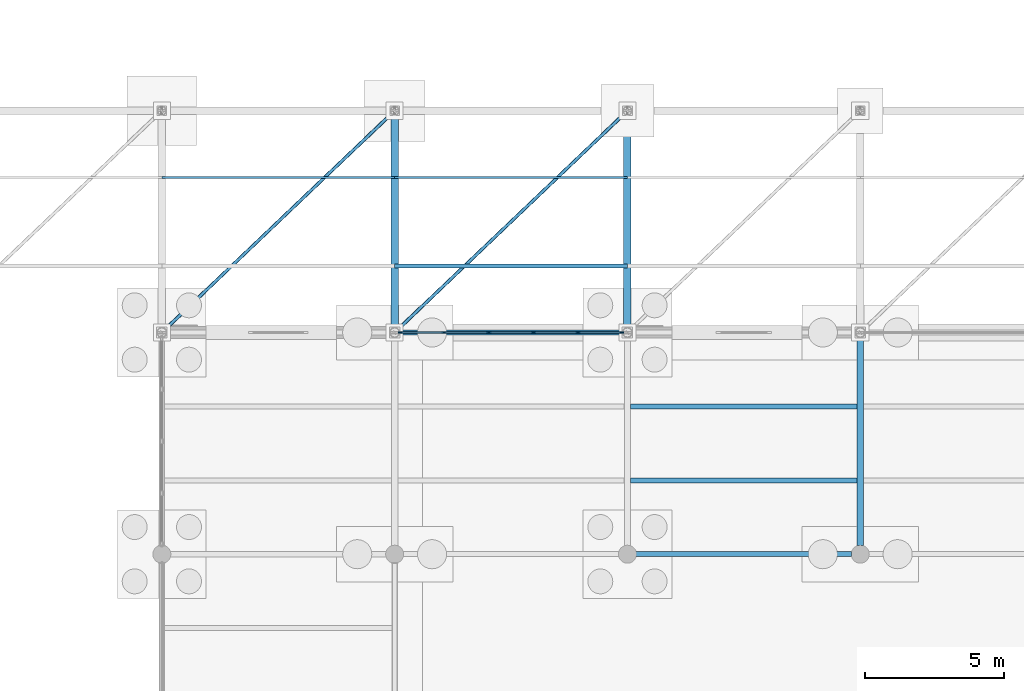
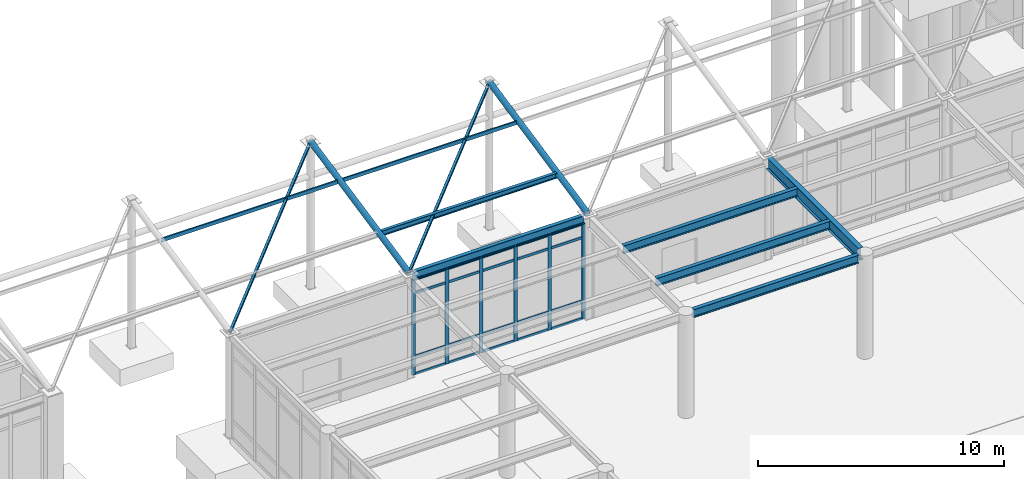
# One storey, part 44 of 138: 33 members, 5 beams, 1 element without a shape of its own.
"""IFC4 building model written with IfcOpenShell, lengths in metres."""

from ifc_helpers import new_model, si_unit, direction, frame, origin, origin_2d, place, context, subcontext, project, spatial, rectangle, hollow_rectangle, hollow_circle, i_section, u_section, extrude, material, layer, layer_set, material_profile, profile_set, type_object, element, aggregate, save


model = new_model("IFC4")

# Units and contexts
model_context = context("Model", 3, precision=1e-05, world=origin(), true_north=direction((0.0, 1.0)))
body_context = subcontext(model_context, "Body", "Model", "MODEL_VIEW")
ifc_project = project(units=[si_unit("LENGTHUNIT", "METRE"), si_unit("AREAUNIT", "SQUARE_METRE"), si_unit("VOLUMEUNIT", "CUBIC_METRE"), si_unit("PLANEANGLEUNIT", "RADIAN"), si_unit("MASSUNIT", "GRAM", prefix="KILO")], contexts=[model_context])

# Site, building, storey
site_placement = place(None, origin())
site = spatial("IfcSite", under=ifc_project, at=site_placement, CompositionType="ELEMENT")
building_placement = place(site_placement, origin())
building = spatial("IfcBuilding", under=site, at=building_placement, Name="Kranzveld Transit Interchange", CompositionType="ELEMENT")
storey_placement = place(building_placement, origin())
storey = spatial("IfcBuildingStorey", under=building, at=storey_placement, Name="L00", CompositionType="ELEMENT", Elevation=0.0)

# Members
ifc_material_1 = material(Name="Steel S355JR", Category="steel")
ifc_material_profile_1 = material_profile(ifc_material_1, hollow_rectangle(XDim=0.1201171875, YDim=0.1201171875, WallThickness=0.00634765625, InnerFilletRadius=0.009521484375, OuterFilletRadius=0.015869140625, at=origin_2d()), Name="SHS 120x120x6.3")
ifc_profile_set_1 = profile_set([ifc_material_profile_1], Name="Steel S355JR")
member_type_1 = type_object("IfcMemberType", Name="Canopy Brace SHS 120x120x6.3 S355JR", PredefinedType="BRACE", material=ifc_profile_set_1)
member_1_placement = place(storey_placement, frame((58.800048828125, 88.0, 5.10009765625), z_axis=(0.716657489312, 0.682538877224, 0.143327331976), x_axis=(-0.689659376744, 0.724133926887, 0.0)))
element("IfcMember", 1, at=member_1_placement, inside=storey, type_object=member_type_1, Name="Forecourt Canopy Plan Brace 08", PredefinedType="BRACE", context=body_context, shape_type="SweptSolid", body=[
    extrude(hollow_rectangle(XDim=0.1201171875, YDim=0.1201171875, WallThickness=0.00634765625, InnerFilletRadius=0.009521484375, OuterFilletRadius=0.015869140625, at=origin_2d()), origin(), (0.0, 0.0, 1.0), 11.720947265625),
])
member_2_placement = place(storey_placement, frame((67.199951171875, 88.0, 5.10009765625), z_axis=(0.716667620564, 0.682528688657, 0.143325192464), x_axis=(-0.689648865971, 0.724143937118, 0.0)))
element("IfcMember", 2, at=member_2_placement, inside=storey, type_object=member_type_1, Name="Forecourt Canopy Plan Brace 09", PredefinedType="BRACE", context=body_context, shape_type="SweptSolid", body=[
    extrude(hollow_rectangle(XDim=0.1201171875, YDim=0.1201171875, WallThickness=0.00634765625, InnerFilletRadius=0.009521484375, OuterFilletRadius=0.015869140625, at=origin_2d()), origin(), (0.0, 0.0, 1.0), 11.72119140625),
])
ifc_material_2 = material(Name="Steel S355JR", Category="steel")
ifc_material_profile_2 = material_profile(ifc_material_2, i_section(OverallWidth=0.146484375, OverallDepth=0.256103515625, WebThickness=0.00634765625, FlangeThickness=0.010986328125, FilletRadius=0.007568359375, at=origin_2d()), Name="UB 254x146x37")
ifc_profile_set_2 = profile_set([ifc_material_profile_2], Name="Steel S355JR")
member_type_2 = type_object("IfcMemberType", Name="Canopy Purlin UB 254x146x37 S355JR", PredefinedType="PURLIN", material=ifc_profile_set_2)
member_3_placement = place(storey_placement, frame((67.199951171875, 90.39990234375, 5.6240234375), z_axis=(1.0, 0.0, 0.0), x_axis=(0.0, 1.0, 0.0)))
element("IfcMember", 3, at=member_3_placement, inside=storey, type_object=member_type_2, Name="Forecourt Canopy Purlin 09.1", PredefinedType="PURLIN", context=body_context, shape_type="SweptSolid", body=[
    extrude(i_section(OverallWidth=0.146484375, OverallDepth=0.256103515625, WebThickness=0.00634765625, FlangeThickness=0.010986328125, FilletRadius=0.007568359375, at=origin_2d()), origin(), (0.0, 0.0, 1.0), 8.400146484375),
])
ifc_material_3 = material(Name="Steel S355JR", Category="steel")
ifc_material_profile_3 = material_profile(ifc_material_3, hollow_circle(Radius=0.136474609375, WallThickness=0.010009765625, at=origin_2d()), Name="CHS 273x10")
ifc_profile_set_3 = profile_set([ifc_material_profile_3], Name="Steel S355JR")
member_type_3 = type_object("IfcMemberType", Name="Canopy Raking Strut CHS 273x10 S355JR", PredefinedType="STRUT", material=ifc_profile_set_3)
for number, where, z_axis, x_axis, name in (
    (4, (67.199951171875, 88.0, 5.139892578125), (0.0, 0.978649171378, 0.205537829511), (-1.0, 0.0, 0.0), "Forecourt Canopy Strut 09"),
    (5, (75.60009765625, 88.0, 5.139892578125), (0.0, 0.978649171378, 0.205537829511), (-1.0, 0.0, 0.0), "Forecourt Canopy Strut 10"),
):
    element("IfcMember", number, at=place(storey_placement, frame(where, z_axis=z_axis, x_axis=x_axis)), inside=storey, type_object=member_type_3, Name=name, PredefinedType="STRUT", context=body_context, shape_type="SweptSolid", body=[
        extrude(hollow_circle(Radius=0.136474609375, WallThickness=0.010009765625, at=origin_2d()), origin(), (0.0, 0.0, 1.0), 8.174560546875),
    ])

# Curtain wall, members
ifc_material_4 = material(Name="Bronze-anodised thermally broken aluminium", Category="aluminium")
ifc_layer = layer(ifc_material_4, 0.155029296875)
ifc_layer_set = layer_set([ifc_layer], Name="Bronze-anodised thermally broken aluminium")
curtain_wall_type = type_object("IfcCurtainWallType", Name="Operations Courtyard Glazed Screen CW-6", PredefinedType="USERDEFINED", material=ifc_layer_set)
curtain_wall_placement = place(storey_placement, origin())
curtain_wall = element("IfcCurtainWall", 6, at=curtain_wall_placement, inside=storey, type_object=curtain_wall_type, Name="L00 Curtain Wall 09/M-10/M", ObjectType="CURTAIN WALL", PredefinedType="USERDEFINED")
ifc_material_5 = material(Name="Bronze-anodised thermally broken aluminium", Category="aluminium")
ifc_material_profile_4 = material_profile(ifc_material_5, rectangle(XDim=0.06494140625, YDim=0.1650390625, at=origin_2d()), Name="ALU MULLION 65x165")
ifc_profile_set_4 = profile_set([ifc_material_profile_4], Name="Bronze-anodised thermally broken aluminium")
member_type_4 = type_object("IfcMemberType", Name="Curtain Wall Mullion 65x165 Alu", PredefinedType="MULLION", material=ifc_profile_set_4)
member_4_placement = place(storey_placement, frame((67.410400390625, 88.0, 0.0), z_axis=(0.0, 0.0, 1.0), x_axis=(0.0, 1.0, 0.0)))
member_4 = element("IfcMember", 7, at=member_4_placement, type_object=member_type_4, Name="CW-6 mullion 1", PredefinedType="MULLION", context=body_context, shape_type="SweptSolid", body=[
    extrude(rectangle(XDim=0.06494140625, YDim=0.1650390625, at=origin_2d()), origin(), (0.0, 0.0, 1.0), 4.740478515625),
])
member_5_placement = place(storey_placement, frame((68.986572265625, 88.0, 0.0), z_axis=(0.0, 0.0, 1.0), x_axis=(0.0, 1.0, 0.0)))
member_5 = element("IfcMember", 8, at=member_5_placement, type_object=member_type_4, Name="CW-6 mullion 2", PredefinedType="MULLION", context=body_context, shape_type="SweptSolid", body=[
    extrude(rectangle(XDim=0.06494140625, YDim=0.1650390625, at=origin_2d()), origin(), (0.0, 0.0, 1.0), 4.740478515625),
])
member_6_placement = place(storey_placement, frame((70.595458984375, 88.0, 0.0), z_axis=(0.0, 0.0, 1.0), x_axis=(0.0, 1.0, 0.0)))
member_6 = element("IfcMember", 9, at=member_6_placement, type_object=member_type_4, Name="CW-6 mullion 3", PredefinedType="MULLION", context=body_context, shape_type="SweptSolid", body=[
    extrude(rectangle(XDim=0.06494140625, YDim=0.1650390625, at=origin_2d()), origin(), (0.0, 0.0, 1.0), 4.740478515625),
])
member_7_placement = place(storey_placement, frame((72.204345703125, 88.0, 0.0), z_axis=(0.0, 0.0, 1.0), x_axis=(0.0, 1.0, 0.0)))
member_7 = element("IfcMember", 10, at=member_7_placement, type_object=member_type_4, Name="CW-6 mullion 4", PredefinedType="MULLION", context=body_context, shape_type="SweptSolid", body=[
    extrude(rectangle(XDim=0.06494140625, YDim=0.1650390625, at=origin_2d()), origin(), (0.0, 0.0, 1.0), 4.740478515625),
])
member_8_placement = place(storey_placement, frame((73.813232421875, 88.0, 0.0), z_axis=(0.0, 0.0, 1.0), x_axis=(0.0, 1.0, 0.0)))
member_8 = element("IfcMember", 11, at=member_8_placement, type_object=member_type_4, Name="CW-6 mullion 5", PredefinedType="MULLION", context=body_context, shape_type="SweptSolid", body=[
    extrude(rectangle(XDim=0.06494140625, YDim=0.1650390625, at=origin_2d()), origin(), (0.0, 0.0, 1.0), 4.740478515625),
])
member_9_placement = place(storey_placement, frame((75.3896484375, 88.0, 0.0), z_axis=(0.0, 0.0, 1.0), x_axis=(0.0, 1.0, 0.0)))
member_9 = element("IfcMember", 12, at=member_9_placement, type_object=member_type_4, Name="CW-6 mullion 6", PredefinedType="MULLION", context=body_context, shape_type="SweptSolid", body=[
    extrude(rectangle(XDim=0.06494140625, YDim=0.1650390625, at=origin_2d()), origin(), (0.0, 0.0, 1.0), 4.740478515625),
])
ifc_material_6 = material(Name="Bronze-anodised thermally broken aluminium", Category="aluminium")
ifc_material_profile_5 = material_profile(ifc_material_6, rectangle(XDim=0.06005859375, YDim=0.125, at=origin_2d()), Name="ALU TRANSOM 60x125")
ifc_profile_set_5 = profile_set([ifc_material_profile_5], Name="Bronze-anodised thermally broken aluminium")
member_type_5 = type_object("IfcMemberType", Name="Curtain Wall Transom 60x125 Alu", PredefinedType="USERDEFINED", material=ifc_profile_set_5)
member_10_placement = place(storey_placement, frame((67.44287109375, 88.0, 0.030029296875), z_axis=(1.0, 0.0, 0.0), x_axis=(0.0, 1.0, 0.0)))
member_10 = element("IfcMember", 13, at=member_10_placement, type_object=member_type_5, Name="CW-6 transom 1.1", ObjectType="TRANSOM", PredefinedType="USERDEFINED", context=body_context, shape_type="SweptSolid", body=[
    extrude(rectangle(XDim=0.06005859375, YDim=0.125, at=origin_2d()), origin(), (0.0, 0.0, 1.0), 1.51123046875),
])
member_11_placement = place(storey_placement, frame((67.44287109375, 88.0, 0.89990234375), z_axis=(1.0, 0.0, 0.0), x_axis=(0.0, 1.0, 0.0)))
member_11 = element("IfcMember", 14, at=member_11_placement, type_object=member_type_5, Name="CW-6 transom 1.2", ObjectType="TRANSOM", PredefinedType="USERDEFINED", context=body_context, shape_type="SweptSolid", body=[
    extrude(rectangle(XDim=0.06005859375, YDim=0.125, at=origin_2d()), origin(), (0.0, 0.0, 1.0), 1.51123046875),
])
member_12_placement = place(storey_placement, frame((67.44287109375, 88.0, 4.04052734375), z_axis=(1.0, 0.0, 0.0), x_axis=(0.0, 1.0, 0.0)))
member_12 = element("IfcMember", 15, at=member_12_placement, type_object=member_type_5, Name="CW-6 transom 1.3", ObjectType="TRANSOM", PredefinedType="USERDEFINED", context=body_context, shape_type="SweptSolid", body=[
    extrude(rectangle(XDim=0.06005859375, YDim=0.125, at=origin_2d()), origin(), (0.0, 0.0, 1.0), 1.51123046875),
])
member_13_placement = place(storey_placement, frame((67.44287109375, 88.0, 4.710693359375), z_axis=(1.0, 0.0, 0.0), x_axis=(0.0, 1.0, 0.0)))
member_13 = element("IfcMember", 16, at=member_13_placement, type_object=member_type_5, Name="CW-6 transom 1.4", ObjectType="TRANSOM", PredefinedType="USERDEFINED", context=body_context, shape_type="SweptSolid", body=[
    extrude(rectangle(XDim=0.06005859375, YDim=0.125, at=origin_2d()), origin(), (0.0, 0.0, 1.0), 1.51123046875),
])
member_14_placement = place(storey_placement, frame((69.019287109375, 88.0, 0.030029296875), z_axis=(1.0, 0.0, 0.0), x_axis=(0.0, 1.0, 0.0)))
member_14 = element("IfcMember", 17, at=member_14_placement, type_object=member_type_5, Name="CW-6 transom 2.1", ObjectType="TRANSOM", PredefinedType="USERDEFINED", context=body_context, shape_type="SweptSolid", body=[
    extrude(rectangle(XDim=0.06005859375, YDim=0.125, at=origin_2d()), origin(), (0.0, 0.0, 1.0), 1.543701171875),
])
member_15_placement = place(storey_placement, frame((69.019287109375, 88.0, 0.89990234375), z_axis=(1.0, 0.0, 0.0), x_axis=(0.0, 1.0, 0.0)))
member_15 = element("IfcMember", 18, at=member_15_placement, type_object=member_type_5, Name="CW-6 transom 2.2", ObjectType="TRANSOM", PredefinedType="USERDEFINED", context=body_context, shape_type="SweptSolid", body=[
    extrude(rectangle(XDim=0.06005859375, YDim=0.125, at=origin_2d()), origin(), (0.0, 0.0, 1.0), 1.543701171875),
])
member_16_placement = place(storey_placement, frame((69.019287109375, 88.0, 4.04052734375), z_axis=(1.0, 0.0, 0.0), x_axis=(0.0, 1.0, 0.0)))
member_16 = element("IfcMember", 19, at=member_16_placement, type_object=member_type_5, Name="CW-6 transom 2.3", ObjectType="TRANSOM", PredefinedType="USERDEFINED", context=body_context, shape_type="SweptSolid", body=[
    extrude(rectangle(XDim=0.06005859375, YDim=0.125, at=origin_2d()), origin(), (0.0, 0.0, 1.0), 1.543701171875),
])
member_17_placement = place(storey_placement, frame((69.019287109375, 88.0, 4.710693359375), z_axis=(1.0, 0.0, 0.0), x_axis=(0.0, 1.0, 0.0)))
member_17 = element("IfcMember", 20, at=member_17_placement, type_object=member_type_5, Name="CW-6 transom 2.4", ObjectType="TRANSOM", PredefinedType="USERDEFINED", context=body_context, shape_type="SweptSolid", body=[
    extrude(rectangle(XDim=0.06005859375, YDim=0.125, at=origin_2d()), origin(), (0.0, 0.0, 1.0), 1.543701171875),
])
member_18_placement = place(storey_placement, frame((70.628173828125, 88.0, 0.030029296875), z_axis=(1.0, 0.0, 0.0), x_axis=(0.0, 1.0, 0.0)))
member_18 = element("IfcMember", 21, at=member_18_placement, type_object=member_type_5, Name="CW-6 transom 3.1", ObjectType="TRANSOM", PredefinedType="USERDEFINED", context=body_context, shape_type="SweptSolid", body=[
    extrude(rectangle(XDim=0.06005859375, YDim=0.125, at=origin_2d()), origin(), (0.0, 0.0, 1.0), 1.543701171875),
])
member_19_placement = place(storey_placement, frame((70.628173828125, 88.0, 0.89990234375), z_axis=(1.0, 0.0, 0.0), x_axis=(0.0, 1.0, 0.0)))
member_19 = element("IfcMember", 22, at=member_19_placement, type_object=member_type_5, Name="CW-6 transom 3.2", ObjectType="TRANSOM", PredefinedType="USERDEFINED", context=body_context, shape_type="SweptSolid", body=[
    extrude(rectangle(XDim=0.06005859375, YDim=0.125, at=origin_2d()), origin(), (0.0, 0.0, 1.0), 1.543701171875),
])
member_20_placement = place(storey_placement, frame((70.628173828125, 88.0, 4.04052734375), z_axis=(1.0, 0.0, 0.0), x_axis=(0.0, 1.0, 0.0)))
member_20 = element("IfcMember", 23, at=member_20_placement, type_object=member_type_5, Name="CW-6 transom 3.3", ObjectType="TRANSOM", PredefinedType="USERDEFINED", context=body_context, shape_type="SweptSolid", body=[
    extrude(rectangle(XDim=0.06005859375, YDim=0.125, at=origin_2d()), origin(), (0.0, 0.0, 1.0), 1.543701171875),
])
member_21_placement = place(storey_placement, frame((70.628173828125, 88.0, 4.710693359375), z_axis=(1.0, 0.0, 0.0), x_axis=(0.0, 1.0, 0.0)))
member_21 = element("IfcMember", 24, at=member_21_placement, type_object=member_type_5, Name="CW-6 transom 3.4", ObjectType="TRANSOM", PredefinedType="USERDEFINED", context=body_context, shape_type="SweptSolid", body=[
    extrude(rectangle(XDim=0.06005859375, YDim=0.125, at=origin_2d()), origin(), (0.0, 0.0, 1.0), 1.543701171875),
])
member_22_placement = place(storey_placement, frame((72.237060546875, 88.0, 0.030029296875), z_axis=(1.0, 0.0, 0.0), x_axis=(0.0, 1.0, 0.0)))
member_22 = element("IfcMember", 25, at=member_22_placement, type_object=member_type_5, Name="CW-6 transom 4.1", ObjectType="TRANSOM", PredefinedType="USERDEFINED", context=body_context, shape_type="SweptSolid", body=[
    extrude(rectangle(XDim=0.06005859375, YDim=0.125, at=origin_2d()), origin(), (0.0, 0.0, 1.0), 1.543701171875),
])
member_23_placement = place(storey_placement, frame((72.237060546875, 88.0, 0.89990234375), z_axis=(1.0, 0.0, 0.0), x_axis=(0.0, 1.0, 0.0)))
member_23 = element("IfcMember", 26, at=member_23_placement, type_object=member_type_5, Name="CW-6 transom 4.2", ObjectType="TRANSOM", PredefinedType="USERDEFINED", context=body_context, shape_type="SweptSolid", body=[
    extrude(rectangle(XDim=0.06005859375, YDim=0.125, at=origin_2d()), origin(), (0.0, 0.0, 1.0), 1.543701171875),
])
member_24_placement = place(storey_placement, frame((72.237060546875, 88.0, 4.04052734375), z_axis=(1.0, 0.0, 0.0), x_axis=(0.0, 1.0, 0.0)))
member_24 = element("IfcMember", 27, at=member_24_placement, type_object=member_type_5, Name="CW-6 transom 4.3", ObjectType="TRANSOM", PredefinedType="USERDEFINED", context=body_context, shape_type="SweptSolid", body=[
    extrude(rectangle(XDim=0.06005859375, YDim=0.125, at=origin_2d()), origin(), (0.0, 0.0, 1.0), 1.543701171875),
])
member_25_placement = place(storey_placement, frame((72.237060546875, 88.0, 4.710693359375), z_axis=(1.0, 0.0, 0.0), x_axis=(0.0, 1.0, 0.0)))
member_25 = element("IfcMember", 28, at=member_25_placement, type_object=member_type_5, Name="CW-6 transom 4.4", ObjectType="TRANSOM", PredefinedType="USERDEFINED", context=body_context, shape_type="SweptSolid", body=[
    extrude(rectangle(XDim=0.06005859375, YDim=0.125, at=origin_2d()), origin(), (0.0, 0.0, 1.0), 1.543701171875),
])
member_26_placement = place(storey_placement, frame((73.845703125, 88.0, 0.030029296875), z_axis=(1.0, 0.0, 0.0), x_axis=(0.0, 1.0, 0.0)))
member_26 = element("IfcMember", 29, at=member_26_placement, type_object=member_type_5, Name="CW-6 transom 5.1", ObjectType="TRANSOM", PredefinedType="USERDEFINED", context=body_context, shape_type="SweptSolid", body=[
    extrude(rectangle(XDim=0.06005859375, YDim=0.125, at=origin_2d()), origin(), (0.0, 0.0, 1.0), 1.511474609375),
])
member_27_placement = place(storey_placement, frame((73.845703125, 88.0, 0.89990234375), z_axis=(1.0, 0.0, 0.0), x_axis=(0.0, 1.0, 0.0)))
member_27 = element("IfcMember", 30, at=member_27_placement, type_object=member_type_5, Name="CW-6 transom 5.2", ObjectType="TRANSOM", PredefinedType="USERDEFINED", context=body_context, shape_type="SweptSolid", body=[
    extrude(rectangle(XDim=0.06005859375, YDim=0.125, at=origin_2d()), origin(), (0.0, 0.0, 1.0), 1.511474609375),
])
member_28_placement = place(storey_placement, frame((73.845703125, 88.0, 4.04052734375), z_axis=(1.0, 0.0, 0.0), x_axis=(0.0, 1.0, 0.0)))
member_28 = element("IfcMember", 31, at=member_28_placement, type_object=member_type_5, Name="CW-6 transom 5.3", ObjectType="TRANSOM", PredefinedType="USERDEFINED", context=body_context, shape_type="SweptSolid", body=[
    extrude(rectangle(XDim=0.06005859375, YDim=0.125, at=origin_2d()), origin(), (0.0, 0.0, 1.0), 1.511474609375),
])
member_29_placement = place(storey_placement, frame((73.845703125, 88.0, 4.710693359375), z_axis=(1.0, 0.0, 0.0), x_axis=(0.0, 1.0, 0.0)))
member_29 = element("IfcMember", 32, at=member_29_placement, type_object=member_type_5, Name="CW-6 transom 5.4", ObjectType="TRANSOM", PredefinedType="USERDEFINED", context=body_context, shape_type="SweptSolid", body=[
    extrude(rectangle(XDim=0.06005859375, YDim=0.125, at=origin_2d()), origin(), (0.0, 0.0, 1.0), 1.511474609375),
])
aggregate(curtain_wall, [member_4, member_5, member_6, member_7, member_8, member_9, member_10, member_11, member_12, member_13, member_14, member_15, member_16, member_17, member_18, member_19, member_20, member_21, member_22, member_23, member_24, member_25, member_26, member_27, member_28, member_29])

# Members
ifc_material_7 = material(Name="Steel S355JR", Category="steel")
ifc_material_profile_6 = material_profile(ifc_material_7, u_section(Depth=0.179931640625, FlangeWidth=0.070068359375, WebThickness=0.007080078125, FlangeThickness=0.010986328125, FilletRadius=0.010009765625, at=origin_2d()), Name="PFC 180x70x22")
ifc_profile_set_6 = profile_set([ifc_material_profile_6], Name="Steel S355JR")
member_type_6 = type_object("IfcMemberType", Name="Eaves Purlin PFC 180x70x22 S355JR", PredefinedType="PURLIN", material=ifc_profile_set_6)
member_30_placement = place(storey_placement, frame((58.800048828125, 93.60009765625, 6.2958984375), z_axis=(1.0, 0.0, 0.0), x_axis=(0.0, 1.0, 0.0)))
element("IfcMember", 33, at=member_30_placement, inside=storey, type_object=member_type_6, Name="Forecourt Canopy Purlin 08.2", PredefinedType="PURLIN", context=body_context, shape_type="SweptSolid", body=[
    extrude(u_section(Depth=0.179931640625, FlangeWidth=0.070068359375, WebThickness=0.007080078125, FlangeThickness=0.010986328125, FilletRadius=0.010009765625, at=origin_2d()), origin(), (0.0, 0.0, 1.0), 8.39990234375),
])
member_31_placement = place(storey_placement, frame((67.199951171875, 93.60009765625, 6.2958984375), z_axis=(1.0, 0.0, 0.0), x_axis=(0.0, 1.0, 0.0)))
element("IfcMember", 34, at=member_31_placement, inside=storey, type_object=member_type_6, Name="Forecourt Canopy Purlin 09.2", PredefinedType="PURLIN", context=body_context, shape_type="SweptSolid", body=[
    extrude(u_section(Depth=0.179931640625, FlangeWidth=0.070068359375, WebThickness=0.007080078125, FlangeThickness=0.010986328125, FilletRadius=0.010009765625, at=origin_2d()), origin(), (0.0, 0.0, 1.0), 8.400146484375),
])

# Beams
ifc_material_8 = material(Name="Steel S355JR", Category="steel")
ifc_material_profile_7 = material_profile(ifc_material_8, i_section(OverallWidth=0.1787109375, OverallDepth=0.409423828125, WebThickness=0.0087890625, FlangeThickness=0.014404296875, FilletRadius=0.01025390625, at=origin_2d()), Name="UB 406x178x67")
ifc_profile_set_7 = profile_set([ifc_material_profile_7], Name="Steel S355JR")
beam_type_1 = type_object("IfcBeamType", Name="Facade Spandrel UB 406x178x67 S355JR", PredefinedType="SPANDREL", material=ifc_profile_set_7)
beam_1_placement = place(storey_placement, frame((75.9150390625, 80.0, 4.9453125), z_axis=(1.0, 0.0, 0.0), x_axis=(0.0, 1.0, 0.0)))
element("IfcBeam", 35, at=beam_1_placement, inside=storey, type_object=beam_type_1, Name="L00 Girder 10-11/L", PredefinedType="SPANDREL", context=body_context, shape_type="SweptSolid", body=[
    extrude(i_section(OverallWidth=0.1787109375, OverallDepth=0.409423828125, WebThickness=0.0087890625, FlangeThickness=0.014404296875, FilletRadius=0.01025390625, at=origin_2d()), origin(), (0.0, 0.0, 1.0), 7.77001953125),
])
beam_2_placement = place(storey_placement, frame((67.367919921875, 88.0, 4.9453125), z_axis=(1.0, 0.0, 0.0), x_axis=(0.0, 1.0, 0.0)))
element("IfcBeam", 36, at=beam_2_placement, inside=storey, type_object=beam_type_1, Name="L00 Girder 09-10/M", PredefinedType="SPANDREL", context=body_context, shape_type="SweptSolid", body=[
    extrude(i_section(OverallWidth=0.1787109375, OverallDepth=0.409423828125, WebThickness=0.0087890625, FlangeThickness=0.014404296875, FilletRadius=0.01025390625, at=origin_2d()), origin(), (0.0, 0.0, 1.0), 8.064208984375),
])
ifc_material_9 = material(Name="Steel S355JR", Category="steel")
ifc_material_profile_8 = material_profile(ifc_material_9, i_section(OverallWidth=0.177734375, OverallDepth=0.402587890625, WebThickness=0.0078125, FlangeThickness=0.010986328125, FilletRadius=0.01025390625, at=origin_2d()), Name="UB 406x178x54")
ifc_profile_set_8 = profile_set([ifc_material_profile_8], Name="Steel S355JR")
beam_type_2 = type_object("IfcBeamType", Name="Floor Joist UB 406x178x54 S355JR", PredefinedType="JOIST", material=ifc_profile_set_8)
for number, where, z_axis, x_axis, name in (
    (37, (75.716064453125, 82.666748046875, 4.94873046875), (1.0, 0.0, 0.0), (0.0, 1.0, 0.0), "L00 Secondary Joist 10-11/L.1"),
    (38, (75.716064453125, 85.333251953125, 4.94873046875), (1.0, 0.0, 0.0), (0.0, 1.0, 0.0), "L00 Secondary Joist 10-11/L.2"),
):
    element("IfcBeam", number, at=place(storey_placement, frame(where, z_axis=z_axis, x_axis=x_axis)), inside=storey, type_object=beam_type_2, Name=name, PredefinedType="JOIST", context=body_context, shape_type="SweptSolid", body=[
        extrude(i_section(OverallWidth=0.177734375, OverallDepth=0.402587890625, WebThickness=0.0078125, FlangeThickness=0.010986328125, FilletRadius=0.01025390625, at=origin_2d()), origin(), (0.0, 0.0, 1.0), 8.167724609375),
    ])
ifc_material_10 = material(Name="Steel S355JR", Category="steel")
ifc_material_profile_9 = material_profile(ifc_material_10, i_section(OverallWidth=0.228271484375, OverallDepth=0.607666015625, WebThickness=0.010986328125, FlangeThickness=0.017333984375, FilletRadius=0.0126953125, at=origin_2d()), Name="UB 610x229x113")
ifc_profile_set_9 = profile_set([ifc_material_profile_9], Name="Steel S355JR")
beam_type_3 = type_object("IfcBeamType", Name="Girder Steel UB 610x229x113 S355JR", PredefinedType="BEAM", material=ifc_profile_set_9)
beam_3_placement = place(storey_placement, frame((84.0, 80.31494140625, 4.84619140625), z_axis=(0.0, 1.0, 0.0), x_axis=(-1.0, 0.0, 0.0)))
element("IfcBeam", 39, at=beam_3_placement, inside=storey, type_object=beam_type_3, Name="L00 Girder 11/L-M", PredefinedType="BEAM", context=body_context, shape_type="SweptSolid", body=[
    extrude(i_section(OverallWidth=0.228271484375, OverallDepth=0.607666015625, WebThickness=0.010986328125, FlangeThickness=0.017333984375, FilletRadius=0.0126953125, at=origin_2d()), origin(), (0.0, 0.0, 1.0), 7.517333984375),
])

save(model, "model.ifc")
